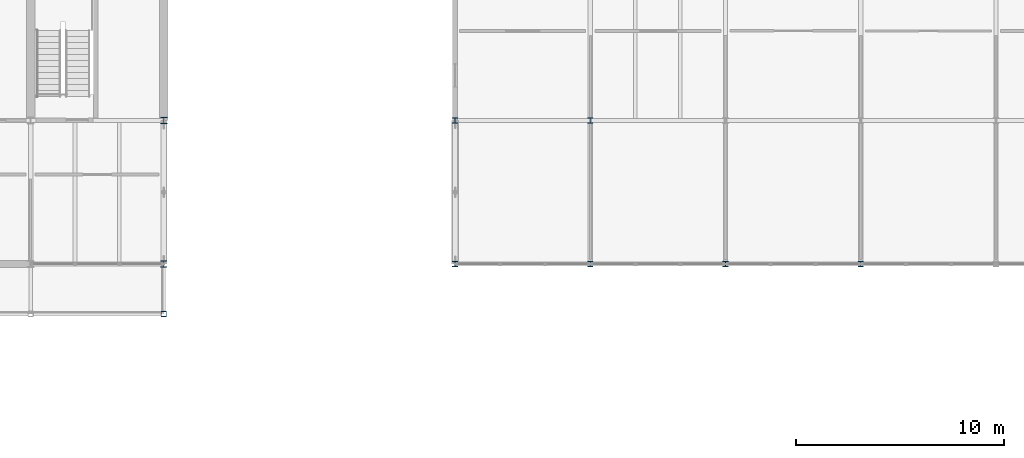
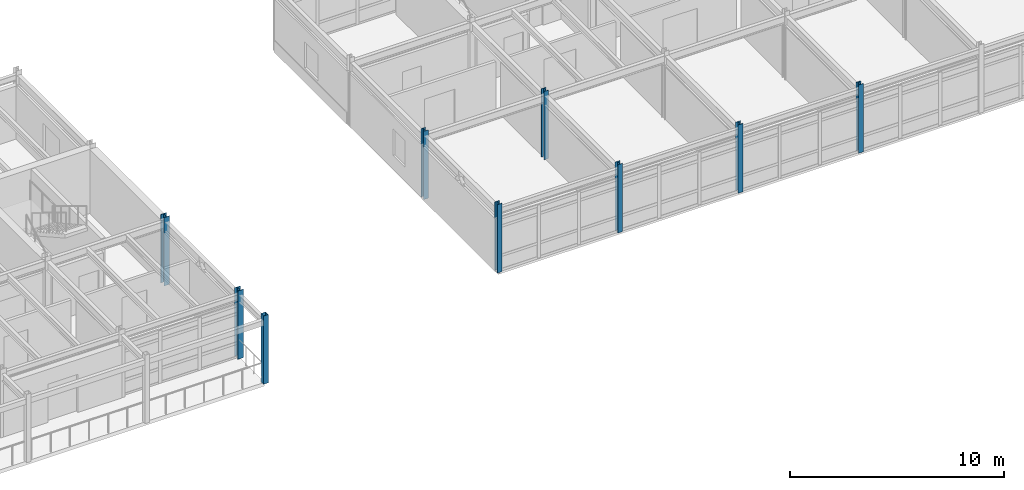
# One storey, part 6 of 57: 9 columns.
"""IFC4 building model written with IfcOpenShell, lengths in metres."""

from ifc_helpers import new_model, si_unit, direction, frame, origin, origin_2d, place, context, subcontext, project, spatial, hollow_rectangle, i_section, extrude, material, material_profile, profile_set, type_object, element, save


model = new_model("IFC4")

# Units and contexts
model_context = context("Model", 3, precision=1e-05, world=origin(), true_north=direction((0.0, 1.0)))
body_context = subcontext(model_context, "Body", "Model", "MODEL_VIEW")
ifc_project = project(units=[si_unit("LENGTHUNIT", "METRE"), si_unit("AREAUNIT", "SQUARE_METRE"), si_unit("VOLUMEUNIT", "CUBIC_METRE"), si_unit("PLANEANGLEUNIT", "RADIAN"), si_unit("MASSUNIT", "GRAM", prefix="KILO")], contexts=[model_context])

# Site, building, storey
site_placement = place(None, origin())
site = spatial("IfcSite", under=ifc_project, at=site_placement, CompositionType="ELEMENT")
building_placement = place(site_placement, origin())
building = spatial("IfcBuilding", under=site, at=building_placement, Name="Trelmorton Wharf Fire Station", CompositionType="ELEMENT")
storey_placement = place(building_placement, frame((0.0, 0.0, 13.5)))
storey = spatial("IfcBuildingStorey", under=building, at=storey_placement, Name="L03", CompositionType="ELEMENT", Elevation=13.5)

# Columns
ifc_material_1 = material(Name="Steel Grade 350", Category="steel")
ifc_material_profile_1 = material_profile(ifc_material_1, i_section(OverallWidth=0.256103515625, OverallDepth=0.260009765625, WebThickness=0.010498046875, FlangeThickness=0.017333984375, FilletRadius=0.0126953125, at=origin_2d()), Name="250UC89.5")
ifc_profile_set_1 = profile_set([ifc_material_profile_1], Name="Steel Grade 350")
column_type_1 = type_object("IfcColumnType", Name="COL_250UC89", PredefinedType="COLUMN", material=ifc_profile_set_1)
for number, where, z_axis, x_axis, name in (
    (1, (104.0, 60.300048828125, 0.0), (0.0, 0.0, 1.0), (1.0, 0.0, 0.0), "COL-L03-0620"),
    (2, (104.0, 67.199951171875, 0.0), (0.0, 0.0, 1.0), (1.0, 0.0, 0.0), "COL-L03-0621"),
    (3, (110.5, 60.300048828125, 0.0), (0.0, 0.0, 1.0), (1.0, 0.0, 0.0), "COL-L03-0628"),
    (4, (110.5, 67.199951171875, 0.0), (0.0, 0.0, 1.0), (1.0, 0.0, 0.0), "COL-L03-0629"),
    (5, (117.0, 60.300048828125, 0.0), (0.0, 0.0, 1.0), (1.0, 0.0, 0.0), "COL-L03-0636"),
    (6, (123.5, 60.300048828125, 0.0), (0.0, 0.0, 1.0), (1.0, 0.0, 0.0), "COL-L03-0644"),
):
    element("IfcColumn", number, at=place(storey_placement, frame(where, z_axis=z_axis, x_axis=x_axis)), inside=storey, type_object=column_type_1, Name=name, PredefinedType="COLUMN", context=body_context, shape_type="SweptSolid", body=[
        extrude(i_section(OverallWidth=0.256103515625, OverallDepth=0.260009765625, WebThickness=0.010498046875, FlangeThickness=0.017333984375, FilletRadius=0.0126953125, at=origin_2d()), origin(), (0.0, 0.0, 1.0), 3.89990234375),
    ])
ifc_material_profile_2 = material_profile(ifc_material_1, i_section(OverallWidth=0.30908203125, OverallDepth=0.321044921875, WebThickness=0.013916015625, FlangeThickness=0.021728515625, FilletRadius=0.0166015625, at=origin_2d()), Name="310UC137")
ifc_profile_set_2 = profile_set([ifc_material_profile_2], Name="Steel Grade 350")
column_type_2 = type_object("IfcColumnType", Name="COL_310UC137", PredefinedType="COLUMN", material=ifc_profile_set_2)
column_1_placement = place(storey_placement, frame((90.0, 67.199951171875, 0.0), z_axis=(0.0, 0.0, 1.0), x_axis=(1.0, 0.0, 0.0)))
element("IfcColumn", 7, at=column_1_placement, inside=storey, type_object=column_type_2, Name="COL-L03-0617", PredefinedType="COLUMN", context=body_context, shape_type="SweptSolid", body=[
    extrude(i_section(OverallWidth=0.30908203125, OverallDepth=0.321044921875, WebThickness=0.013916015625, FlangeThickness=0.021728515625, FilletRadius=0.0166015625, at=origin_2d()), origin(), (0.0, 0.0, 1.0), 3.89990234375),
])
ifc_material_2 = material(Name="Signal-red architectural steel Grade 350", Category="steel")
ifc_material_profile_3 = material_profile(ifc_material_2, hollow_rectangle(XDim=0.25, YDim=0.25, WallThickness=0.012451171875, at=origin_2d()), Name="250x250x12.5SHS")
ifc_profile_set_3 = profile_set([ifc_material_profile_3], Name="Signal-red architectural steel Grade 350")
column_type_3 = type_object("IfcColumnType", Name="COL_RED_250SHS", PredefinedType="COLUMN", material=ifc_profile_set_3)
column_2_placement = place(storey_placement, frame((90.0, 57.89990234375, 0.0), z_axis=(0.0, 0.0, 1.0), x_axis=(1.0, 0.0, 0.0)))
element("IfcColumn", 8, at=column_2_placement, inside=storey, type_object=column_type_3, Name="COL-L03-0615", PredefinedType="COLUMN", context=body_context, shape_type="SweptSolid", body=[
    extrude(hollow_rectangle(XDim=0.25, YDim=0.25, WallThickness=0.012451171875, at=origin_2d()), origin(), (0.0, 0.0, 1.0), 3.89990234375),
])
ifc_material_profile_4 = material_profile(ifc_material_2, i_section(OverallWidth=0.306884765625, OverallDepth=0.31494140625, WebThickness=0.011962890625, FlangeThickness=0.018798828125, FilletRadius=0.0166015625, at=origin_2d()), Name="310UC118")
ifc_profile_set_4 = profile_set([ifc_material_profile_4], Name="Signal-red architectural steel Grade 350")
column_type_4 = type_object("IfcColumnType", Name="COL_RED_310UC118", PredefinedType="COLUMN", material=ifc_profile_set_4)
column_3_placement = place(storey_placement, frame((90.0, 60.300048828125, 0.0), z_axis=(0.0, 0.0, 1.0), x_axis=(1.0, 0.0, 0.0)))
element("IfcColumn", 9, at=column_3_placement, inside=storey, type_object=column_type_4, Name="COL-L03-0616", PredefinedType="COLUMN", context=body_context, shape_type="SweptSolid", body=[
    extrude(i_section(OverallWidth=0.306884765625, OverallDepth=0.31494140625, WebThickness=0.011962890625, FlangeThickness=0.018798828125, FilletRadius=0.0166015625, at=origin_2d()), origin(), (0.0, 0.0, 1.0), 3.89990234375),
])

save(model, "model.ifc")
